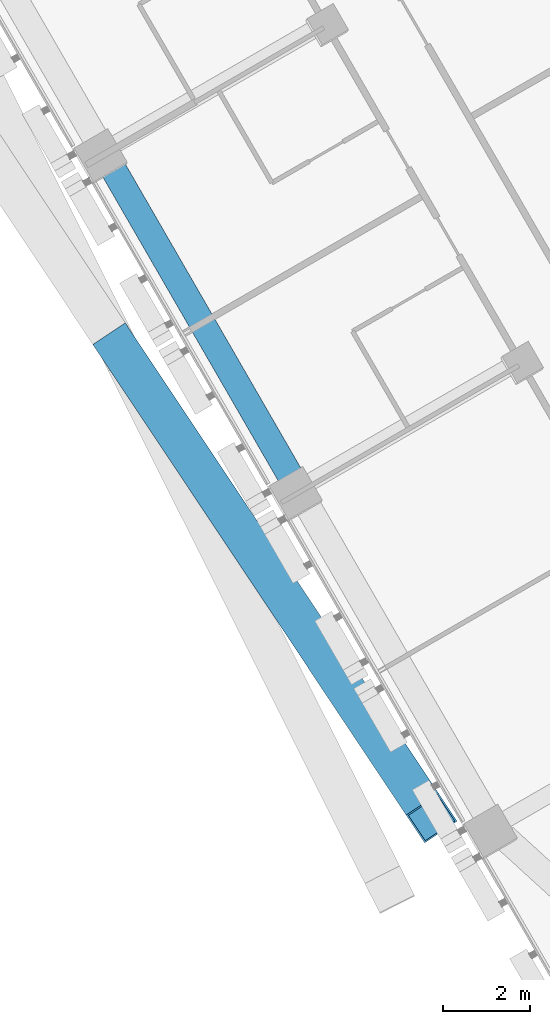
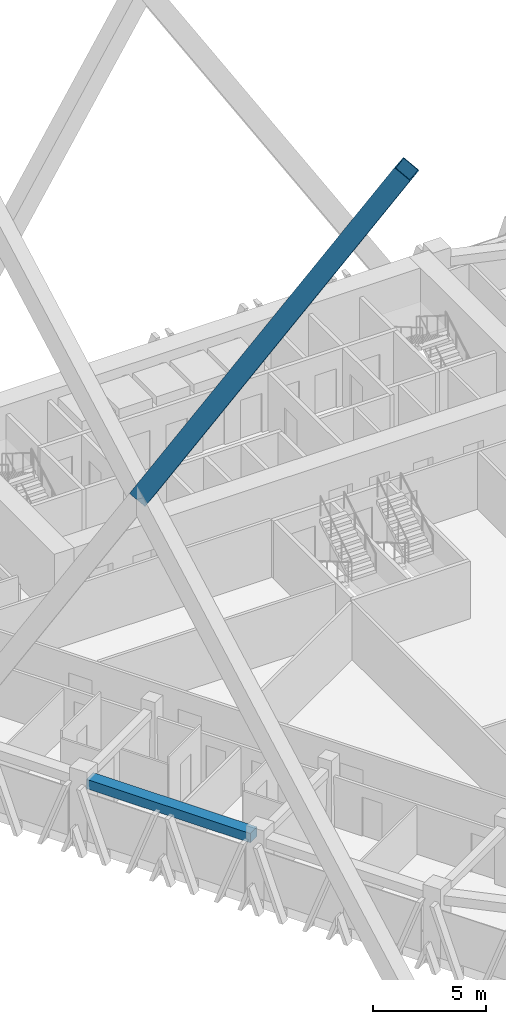
# One storey, part 3 of 24: 1 beam, 1 member.
"""IFC4 building model written with IfcOpenShell, lengths in metres."""

from ifc_helpers import new_model, si_unit, direction, frame, origin, origin_2d, place, context, subcontext, project, spatial, rectangle, hollow_rectangle, extrude, material, material_profile, profile_set, type_object, element, save


model = new_model("IFC4")

# Units and contexts
model_context = context("Model", 3, precision=1e-05, world=origin(), true_north=direction((0.0, 1.0)))
body_context = subcontext(model_context, "Body", "Model", "MODEL_VIEW")
ifc_project = project(units=[si_unit("LENGTHUNIT", "METRE"), si_unit("AREAUNIT", "SQUARE_METRE"), si_unit("VOLUMEUNIT", "CUBIC_METRE"), si_unit("PLANEANGLEUNIT", "RADIAN"), si_unit("MASSUNIT", "GRAM", prefix="KILO")], contexts=[model_context])

# Site, building, storey
site_placement = place(None, origin())
site = spatial("IfcSite", under=ifc_project, at=site_placement, CompositionType="ELEMENT")
building_placement = place(site_placement, origin())
building = spatial("IfcBuilding", under=site, at=building_placement, Name="Altiplano Prism Tower", CompositionType="ELEMENT")
storey_placement = place(building_placement, frame((0.0, 0.0, 27.0)))
storey = spatial("IfcBuildingStorey", under=building, at=storey_placement, Name="L05", CompositionType="ELEMENT", Elevation=27.0)

# Beam
ifc_material_1 = material(Name="Concrete C60/75", Category="concrete")
ifc_material_profile_1 = material_profile(ifc_material_1, rectangle(XDim=0.60009765625, YDim=0.5, at=origin_2d()), Name="Edge beam 600x500")
ifc_profile_set_1 = profile_set([ifc_material_profile_1], Name="Concrete C60/75")
beam_type = type_object("IfcBeamType", Name="Edge beam 600x500", PredefinedType="SPANDREL", material=ifc_profile_set_1)
beam_placement = place(storey_placement, frame((65.1982421875, 77.474853515625, 2.85009765625), z_axis=(0.499992746786, -0.866029591389, 0.0), x_axis=(0.866029591389, 0.499992746786, 0.0)))
element("IfcBeam", 1, at=beam_placement, inside=storey, type_object=beam_type, Name="Edge beam P12-P13 L06", PredefinedType="SPANDREL", context=body_context, shape_type="SweptSolid", body=[
    extrude(rectangle(XDim=0.60009765625, YDim=0.5, at=origin_2d()), origin(), (0.0, 0.0, 1.0), 8.33984375),
])

# Member
ifc_material_2 = material(Name="Steel S355", Category="steel")
ifc_material_profile_2 = material_profile(ifc_material_2, hollow_rectangle(XDim=0.89990234375, YDim=0.89990234375, WallThickness=0.0400390625, at=origin_2d()), Name="Mega brace Box 900x900x40")
ifc_profile_set_2 = profile_set([ifc_material_profile_2], Name="Steel S355")
member_type = type_object("IfcMemberType", Name="Mega brace Box 900x900x40", PredefinedType="BRACE", material=ifc_profile_set_2)
member_placement = place(storey_placement, frame((65.38818359375, 73.231201171875, 20.75), z_axis=(0.286512013261, -0.430367862697, 0.85597568249), x_axis=(0.832407107089, 0.554164603766, 0.0)))
element("IfcMember", 2, at=member_placement, inside=storey, type_object=member_type, Name="Mega brace 1.1.2", PredefinedType="BRACE", context=body_context, shape_type="SweptSolid", body=[
    extrude(hollow_rectangle(XDim=0.89990234375, YDim=0.89990234375, WallThickness=0.0400390625, at=origin_2d()), origin(), (0.0, 0.0, 1.0), 25.234375),
])

save(model, "model.ifc")
